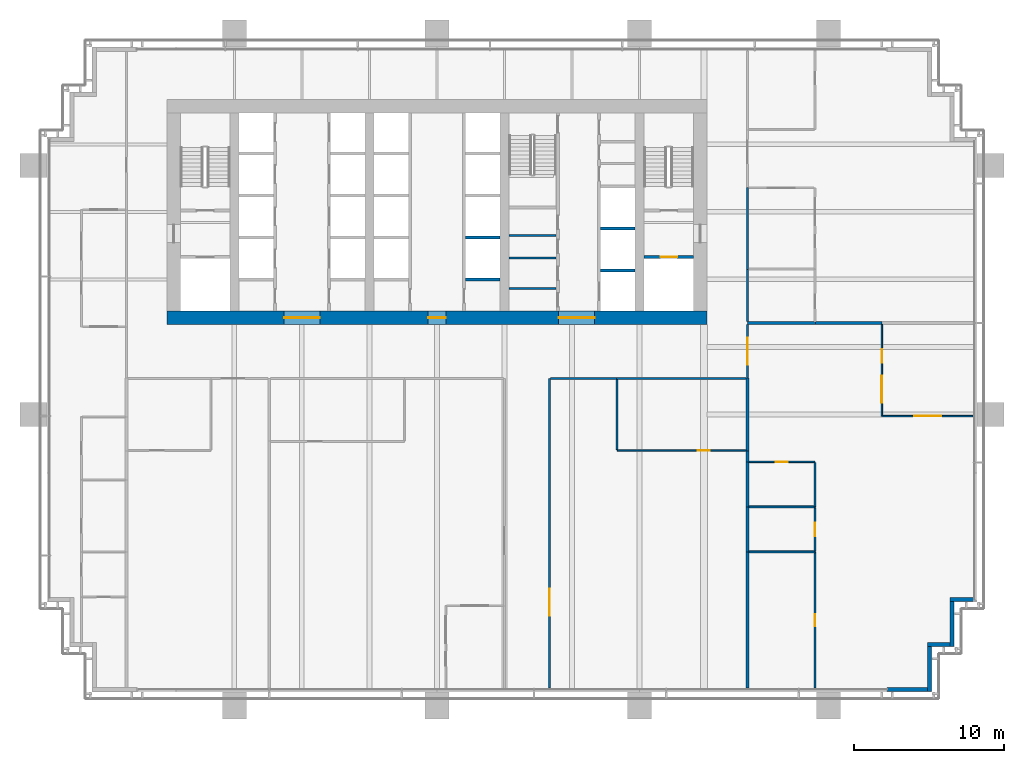
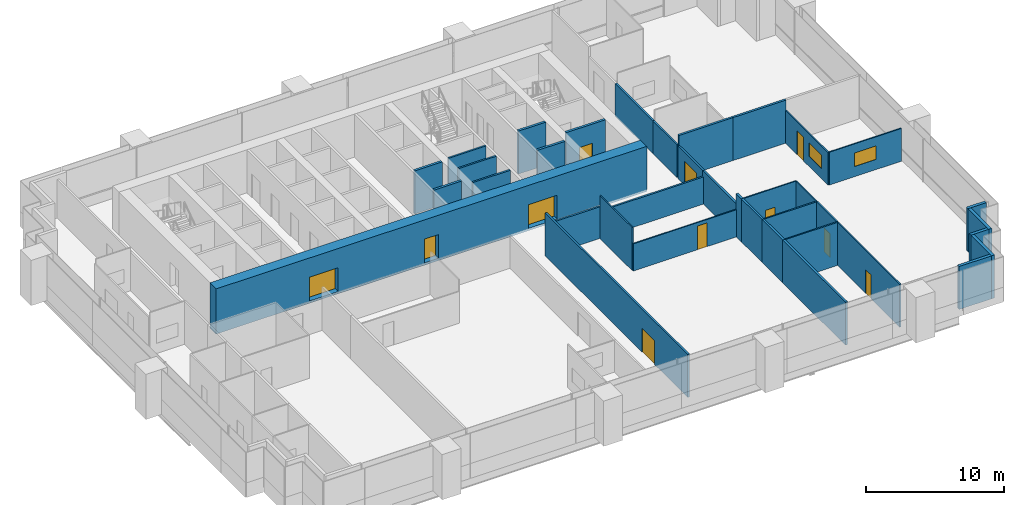
# One storey, part 13 of 19: 37 walls, 11 doors, 2 windows, 13 openings.
"""IFC4 building model written with IfcOpenShell, lengths in metres."""

from ifc_helpers import new_model, si_unit, direction, frame, frame_2d, origin, place, context, subcontext, project, spatial, rectangle, extrude, material, layer, layer_set, type_object, element, fill, save


model = new_model("IFC4")

# Units and contexts
model_context = context("Model", 3, precision=1e-05, world=origin(), true_north=direction((0.0, 1.0)))
body_context = subcontext(model_context, "Body", "Model", "MODEL_VIEW")
ifc_project = project(units=[si_unit("LENGTHUNIT", "METRE"), si_unit("AREAUNIT", "SQUARE_METRE"), si_unit("VOLUMEUNIT", "CUBIC_METRE"), si_unit("PLANEANGLEUNIT", "RADIAN"), si_unit("MASSUNIT", "GRAM", prefix="KILO")], contexts=[model_context])

# Site, building, storey
site_placement = place(None, origin())
site = spatial("IfcSite", under=ifc_project, at=site_placement, CompositionType="ELEMENT")
building_placement = place(site_placement, origin())
building = spatial("IfcBuilding", under=site, at=building_placement, Name="Rattan Terrace Tower", CompositionType="ELEMENT")
storey_placement = place(building_placement, frame((0.0, 0.0, 99.699951171875)))
storey = spatial("IfcBuildingStorey", under=building, at=storey_placement, Name="L22", CompositionType="ELEMENT", Elevation=99.699951171875)

# Walls
ifc_material_1 = material(Name="Gypsum board partition")
ifc_layer_1 = layer(ifc_material_1, 0.14990234375)
ifc_layer_set_1 = layer_set([ifc_layer_1], Name="Core partition 150")
wall_type_1 = type_object("IfcWallType", Name="Core partition 150", PredefinedType="PARTITIONING", material=ifc_layer_set_1)
for number, where, z_axis, x_axis, name in (
    (1, (4.800048828125, -5.10400390625, 0.0), (0.0, 0.0, 1.0), (1.0, 0.0, 0.0), "Toilet wall"),
    (2, (4.800048828125, -3.06396484375, 0.0), (0.0, 0.0, 1.0), (1.0, 0.0, 0.0), "Toilet wall"),
    (3, (4.800048828125, -1.568115234375, 0.0), (0.0, 0.0, 1.0), (1.0, 0.0, 0.0), "Toilet wall"),
):
    element("IfcWall", number, at=place(storey_placement, frame(where, z_axis=z_axis, x_axis=x_axis)), inside=storey, type_object=wall_type_1, Name=name, PredefinedType="PARTITIONING", context=body_context, shape_type="SweptSolid", body=[
        extrude(rectangle(XDim=3.14990234375, YDim=0.14990234375, at=frame_2d((1.574951171875, 0.0))), origin(), (0.0, 0.0, 1.0), 3.800048828125),
    ])

# Wall, opening, door
ifc_material_2 = material(Name="Gypsum board partition")
ifc_layer_2 = layer(ifc_material_2, 0.199951171875)
ifc_layer_set_2 = layer_set([ifc_layer_2], Name="Core partition 200")
wall_type_2 = type_object("IfcWallType", Name="Core partition 200", PredefinedType="PARTITIONING", material=ifc_layer_set_2)
wall_1_placement = place(storey_placement, frame((13.800048828125, -3.0, 0.0), z_axis=(0.0, 0.0, 1.0), x_axis=(1.0, 0.0, 0.0)))
wall_1 = element("IfcWall", 4, at=wall_1_placement, inside=storey, type_object=wall_type_2, Name="Fire-fighting lobby wall", PredefinedType="PARTITIONING", context=body_context, shape_type="SweptSolid", body=[
    extrude(rectangle(XDim=3.300048828125, YDim=0.199951171875, at=frame_2d((1.64990234375, 0.0))), origin(), (0.0, 0.0, 1.0), 3.800048828125),
])
opening_1_placement = place(wall_1_placement, frame((1.10009765625, 0.0, 0.0)))
opening_1 = element("IfcOpeningElement", 5, at=opening_1_placement, cuts=wall_1, Name="Opening L22-LD-FF2", PredefinedType="OPENING", context=body_context, shape_type="SweptSolid", body=[
    extrude(rectangle(XDim=1.10009765625, YDim=2.10009765625, at=frame_2d((0.550048828125, 1.050048828125))), frame((0.0, 0.110595703125, 0.0), z_axis=(0.0, -1.0, 0.0), x_axis=(1.0, 0.0, 0.0)), (0.0, 0.0, 1.0), 0.220947265625),
])
ifc_material_3 = material(Name="Brushed stainless landing door panel")
door_type_1 = type_object("IfcDoorType", Name="Core lift landing door 1100", OperationType="DOUBLE_DOOR_SLIDING", PredefinedType="DOOR", material=ifc_material_3)
door_1_placement = place(opening_1_placement, origin())
door_1 = element("IfcDoor", 6, at=door_1_placement, inside=storey, type_object=door_type_1, Name="Door L22-LD-FF2", OperationType="DOUBLE_DOOR_SLIDING", OverallHeight=2.10009765625, OverallWidth=1.10009765625, PredefinedType="DOOR", context=body_context, shape_type="SweptSolid", body=[
    extrude(rectangle(XDim=1.10009765625, YDim=2.10009765625, at=frame_2d((0.550048828125, 1.050048828125))), frame((0.0, 0.02490234375, 0.0), z_axis=(0.0, -1.0, 0.0), x_axis=(1.0, 0.0, 0.0)), (0.0, 0.0, 1.0), 0.050048828125),
])
fill(opening_1, door_1)

# Wall, openings, doors
ifc_material_4 = material(Name="Concrete C70/85", Category="concrete")
ifc_layer_3 = layer(ifc_material_4, 0.89990234375)
ifc_layer_set_3 = layer_set([ifc_layer_3], Name="Core ring wall 900 C70/85")
wall_type_3 = type_object("IfcWallType", Name="Core ring wall 900 C70/85", PredefinedType="SHEAR", material=ifc_layer_set_3)
wall_2_placement = place(storey_placement, frame((-18.0, -7.050048828125, -0.199951171875), z_axis=(0.0, 0.0, 1.0), x_axis=(1.0, 0.0, 0.0)))
wall_2 = element("IfcWall", 7, at=wall_2_placement, inside=storey, type_object=wall_type_3, Name="Rear core wall south", PredefinedType="SHEAR", context=body_context, shape_type="SweptSolid", body=[
    extrude(rectangle(XDim=36.0, YDim=0.89990234375, at=frame_2d((18.0, 0.0))), origin(), (0.0, 0.0, 1.0), 4.0),
])
opening_2_placement = place(wall_2_placement, frame((7.800048828125, 0.0, 0.199951171875)))
opening_2 = element("IfcOpeningElement", 8, at=opening_2_placement, cuts=wall_2, Name="Opening L22-D007", PredefinedType="OPENING", context=body_context, shape_type="SweptSolid", body=[
    extrude(rectangle(XDim=2.39990234375, YDim=2.10009765625, at=frame_2d((1.199951171875, 1.050048828125))), frame((0.0, 0.46044921875, 0.0), z_axis=(0.0, -1.0, 0.0), x_axis=(1.0, 0.0, 0.0)), (0.0, 0.0, 1.0), 0.9208984375),
])
opening_3_placement = place(wall_2_placement, frame((17.39990234375, 0.0, 0.199951171875)))
opening_3 = element("IfcOpeningElement", 9, at=opening_3_placement, cuts=wall_2, Name="Opening L22-D010", PredefinedType="OPENING", context=body_context, shape_type="SweptSolid", body=[
    extrude(rectangle(XDim=1.199951171875, YDim=2.10009765625, at=frame_2d((0.60009765625, 1.050048828125))), frame((0.0, 0.46044921875, 0.0), z_axis=(0.0, -1.0, 0.0), x_axis=(1.0, 0.0, 0.0)), (0.0, 0.0, 1.0), 0.9208984375),
])
opening_4_placement = place(wall_2_placement, frame((26.10009765625, 0.0, 0.199951171875)))
opening_4 = element("IfcOpeningElement", 10, at=opening_4_placement, cuts=wall_2, Name="Opening L22-D016", PredefinedType="OPENING", context=body_context, shape_type="SweptSolid", body=[
    extrude(rectangle(XDim=2.39990234375, YDim=2.10009765625, at=frame_2d((1.199951171875, 1.050048828125))), frame((0.0, 0.46044921875, 0.0), z_axis=(0.0, -1.0, 0.0), x_axis=(1.0, 0.0, 0.0)), (0.0, 0.0, 1.0), 0.9208984375),
])
ifc_material_5 = material(Name="Hollow-metal fire door leaf")
door_type_2 = type_object("IfcDoorType", Name="Core lift lobby door 2400", OperationType="NOTDEFINED", PredefinedType="DOOR", material=ifc_material_5)
door_2_placement = place(opening_2_placement, origin())
door_2 = element("IfcDoor", 11, at=door_2_placement, inside=storey, type_object=door_type_2, Name="Door L22-D007", OperationType="DOUBLE_DOOR_DOUBLE_SWING", OverallHeight=2.10009765625, OverallWidth=2.39990234375, PredefinedType="DOOR", context=body_context, shape_type="SweptSolid", body=[
    extrude(rectangle(XDim=2.39990234375, YDim=2.10009765625, at=frame_2d((1.199951171875, 1.050048828125))), frame((0.0, 0.02490234375, 0.0), z_axis=(0.0, -1.0, 0.0), x_axis=(1.0, 0.0, 0.0)), (0.0, 0.0, 1.0), 0.050048828125),
])
fill(opening_2, door_2)
door_3_placement = place(opening_4_placement, origin())
door_3 = element("IfcDoor", 12, at=door_3_placement, inside=storey, type_object=door_type_2, Name="Door L22-D016", OperationType="DOUBLE_DOOR_DOUBLE_SWING", OverallHeight=2.10009765625, OverallWidth=2.39990234375, PredefinedType="DOOR", context=body_context, shape_type="SweptSolid", body=[
    extrude(rectangle(XDim=2.39990234375, YDim=2.10009765625, at=frame_2d((1.199951171875, 1.050048828125))), frame((0.0, 0.02490234375, 0.0), z_axis=(0.0, -1.0, 0.0), x_axis=(1.0, 0.0, 0.0)), (0.0, 0.0, 1.0), 0.050048828125),
])
fill(opening_4, door_3)
ifc_material_6 = material(Name="Hollow-metal fire door leaf")
door_type_3 = type_object("IfcDoorType", Name="Core riser door 1200", OperationType="NOTDEFINED", PredefinedType="DOOR", material=ifc_material_6)
door_4_placement = place(opening_3_placement, origin())
door_4 = element("IfcDoor", 13, at=door_4_placement, inside=storey, type_object=door_type_3, Name="Door L22-D010", OperationType="SINGLE_SWING_RIGHT", OverallHeight=2.10009765625, OverallWidth=1.199951171875, PredefinedType="DOOR", context=body_context, shape_type="SweptSolid", body=[
    extrude(rectangle(XDim=1.199951171875, YDim=2.10009765625, at=frame_2d((0.60009765625, 1.050048828125))), frame((0.0, 0.02490234375, 0.0), z_axis=(0.0, -1.0, 0.0), x_axis=(1.0, 0.0, 0.0)), (0.0, 0.0, 1.0), 0.050048828125),
])
fill(opening_3, door_4)

# Walls
ifc_material_7 = material(Name="Insulated aluminium-clad stud wall", Category="aluminium")
ifc_layer_4 = layer(ifc_material_7, 0.25)
ifc_layer_set_4 = layer_set([ifc_layer_4], Name="Facade Riser Wall 250")
wall_type_4 = type_object("IfcWallType", Name="Facade Riser Wall 250", PredefinedType="SOLIDWALL", material=ifc_layer_set_4)
wall_3_placement = place(storey_placement, frame((30.0, -31.830078125, 0.0), z_axis=(0.0, 0.0, 1.0), x_axis=(1.0, 0.0, 0.0)))
element("IfcWall", 14, at=wall_3_placement, inside=storey, type_object=wall_type_4, Name="Riser wall L22-1", PredefinedType="SOLIDWALL", context=body_context, shape_type="SweptSolid", body=[
    extrude(rectangle(XDim=2.705078125, YDim=0.25, at=frame_2d((1.3525390625, 0.0))), origin(), (0.0, 0.0, 1.0), 3.800048828125),
])
wall_4_placement = place(storey_placement, frame((32.830078125, -31.955078125, 0.0), z_axis=(0.0, 0.0, 1.0), x_axis=(0.0, 1.0, 0.0)))
element("IfcWall", 15, at=wall_4_placement, inside=storey, type_object=wall_type_4, Name="Riser wall L22-2", PredefinedType="SOLIDWALL", context=body_context, shape_type="SweptSolid", body=[
    extrude(rectangle(XDim=3.0, YDim=0.25, at=frame_2d((1.5, 0.0))), origin(), (0.0, 0.0, 1.0), 3.800048828125),
])
wall_5_placement = place(storey_placement, frame((32.705078125, -28.830078125, 0.0), z_axis=(0.0, 0.0, 1.0), x_axis=(1.0, 0.0, 0.0)))
element("IfcWall", 16, at=wall_5_placement, inside=storey, type_object=wall_type_4, Name="Riser wall L22-3", PredefinedType="SOLIDWALL", context=body_context, shape_type="SweptSolid", body=[
    extrude(rectangle(XDim=1.5, YDim=0.25, at=frame_2d((0.75, 0.0))), origin(), (0.0, 0.0, 1.0), 3.800048828125),
])
wall_6_placement = place(storey_placement, frame((34.330078125, -28.955078125, 0.0), z_axis=(0.0, 0.0, 1.0), x_axis=(0.0, 1.0, 0.0)))
element("IfcWall", 17, at=wall_6_placement, inside=storey, type_object=wall_type_4, Name="Riser wall L22-4", PredefinedType="SOLIDWALL", context=body_context, shape_type="SweptSolid", body=[
    extrude(rectangle(XDim=3.0, YDim=0.25, at=frame_2d((1.5, 0.0))), origin(), (0.0, 0.0, 1.0), 3.800048828125),
])
wall_7_placement = place(storey_placement, frame((34.205078125, -25.830078125, 0.0), z_axis=(0.0, 0.0, 1.0), x_axis=(1.0, 0.0, 0.0)))
element("IfcWall", 18, at=wall_7_placement, inside=storey, type_object=wall_type_4, Name="Riser wall L22-5", PredefinedType="SOLIDWALL", context=body_context, shape_type="SweptSolid", body=[
    extrude(rectangle(XDim=1.544921875, YDim=0.25, at=frame_2d((0.7724609375, 0.0))), origin(), (0.0, 0.0, 1.0), 3.800048828125),
])
ifc_material_8 = material(Name="Double steel stud acoustic partition, gypsum board, mineral wool, fire rated", Category="steel")
ifc_layer_5 = layer(ifc_material_8, 0.179931640625)
ifc_layer_set_5 = layer_set([ifc_layer_5], Name="Floors Acoustic Party Wall 180")
wall_type_5 = type_object("IfcWallType", Name="Floors Acoustic Party Wall 180", PredefinedType="PARTITIONING", material=ifc_layer_set_5)
wall_8_placement = place(storey_placement, frame((25.219970703125, -7.39990234375, 0.0), z_axis=(0.0, 0.0, 1.0), x_axis=(1.0, 0.0, 0.0)))
element("IfcWall", 19, at=wall_8_placement, inside=storey, type_object=wall_type_5, Name="pt-L22-041", PredefinedType="PARTITIONING", context=body_context, shape_type="SweptSolid", body=[
    extrude(rectangle(XDim=4.43994140625, YDim=0.179931640625, at=frame_2d((2.219970703125, 0.0))), origin(), (0.0, 0.0, 1.0), 3.800048828125),
])
wall_9_placement = place(storey_placement, frame((20.699951171875, -7.39990234375, 0.0), z_axis=(0.0, 0.0, 1.0), x_axis=(1.0, 0.0, 0.0)))
element("IfcWall", 20, at=wall_9_placement, inside=storey, type_object=wall_type_5, Name="pt-L22-042", PredefinedType="PARTITIONING", context=body_context, shape_type="SweptSolid", body=[
    extrude(rectangle(XDim=4.52001953125, YDim=0.179931640625, at=frame_2d((2.260009765625, 0.0))), origin(), (0.0, 0.0, 1.0), 3.800048828125),
])
wall_10_placement = place(storey_placement, frame((20.699951171875, -16.659912109375, 0.0), z_axis=(0.0, 0.0, 1.0), x_axis=(0.0, 1.0, 0.0)))
element("IfcWall", 21, at=wall_10_placement, inside=storey, type_object=wall_type_5, Name="pt-L22-043", PredefinedType="PARTITIONING", context=body_context, shape_type="SweptSolid", body=[
    extrude(rectangle(XDim=0.739990234375, YDim=0.179931640625, at=frame_2d((0.3701171875, 0.0))), origin(), (0.0, 0.0, 1.0), 3.800048828125),
])
wall_11_placement = place(storey_placement, frame((20.699951171875, -15.919921875, 0.0), z_axis=(0.0, 0.0, 1.0), x_axis=(0.0, 1.0, 0.0)))
element("IfcWall", 22, at=wall_11_placement, inside=storey, type_object=wall_type_5, Name="pt-L22-044", PredefinedType="PARTITIONING", context=body_context, shape_type="SweptSolid", body=[
    extrude(rectangle(XDim=4.83984375, YDim=0.179931640625, at=frame_2d((2.419921875, 0.0))), origin(), (0.0, 0.0, 1.0), 2.900146484375),
])
wall_12_placement = place(storey_placement, frame((20.699951171875, -31.739990234375, 0.0), z_axis=(0.0, 0.0, 1.0), x_axis=(0.0, 1.0, 0.0)))
element("IfcWall", 23, at=wall_12_placement, inside=storey, type_object=wall_type_5, Name="pt-L22-047", PredefinedType="PARTITIONING", context=body_context, shape_type="SweptSolid", body=[
    extrude(rectangle(XDim=9.080078125, YDim=0.179931640625, at=frame_2d((4.5400390625, 0.0))), origin(), (0.0, 0.0, 1.0), 3.800048828125),
])
for number, where, z_axis, x_axis, name in (
    (24, (20.699951171875, -22.659912109375, 0.0), (0.0, 0.0, 1.0), (0.0, 1.0, 0.0), "pt-L22-049"),
    (25, (20.699951171875, -19.659912109375, 0.0), (0.0, 0.0, 1.0), (0.0, 1.0, 0.0), "pt-L22-050"),
):
    element("IfcWall", number, at=place(storey_placement, frame(where, z_axis=z_axis, x_axis=x_axis)), inside=storey, type_object=wall_type_5, Name=name, PredefinedType="PARTITIONING", context=body_context, shape_type="SweptSolid", body=[
        extrude(rectangle(XDim=3.0, YDim=0.179931640625, at=frame_2d((1.5, 0.0))), origin(), (0.0, 0.0, 1.0), 3.800048828125),
    ])

# Wall, openings, door, window
ifc_material_9 = material(Name="Gypsum board partition on steel studs", Category="steel")
ifc_layer_6 = layer(ifc_material_9, 0.10009765625)
ifc_layer_set_6 = layer_set([ifc_layer_6], Name="Floors Partition 100")
wall_type_6 = type_object("IfcWallType", Name="Floors Partition 100", PredefinedType="PARTITIONING", material=ifc_layer_set_6)
wall_13_placement = place(storey_placement, frame((29.659912109375, -7.489990234375, 0.0), z_axis=(0.0, 0.0, 1.0), x_axis=(0.0, -1.0, 0.0)))
wall_13 = element("IfcWall", 26, at=wall_13_placement, inside=storey, type_object=wall_type_6, Name="pt-L22-035", PredefinedType="PARTITIONING", context=body_context, shape_type="SweptSolid", body=[
    extrude(rectangle(XDim=6.110107421875, YDim=0.10009765625, at=frame_2d((3.05517578125, 0.0))), origin(), (0.0, 0.0, 1.0), 2.900146484375),
])
opening_5_placement = place(wall_13_placement, frame((1.6630859375, 0.0, 0.0)))
opening_5 = element("IfcOpeningElement", 27, at=opening_5_placement, cuts=wall_13, Name="Opening L22-D107", PredefinedType="OPENING", context=body_context, shape_type="SweptSolid", body=[
    extrude(rectangle(XDim=0.89990234375, YDim=2.10009765625, at=frame_2d((0.449951171875, 1.050048828125))), frame((0.0, 0.060546875, 0.0), z_axis=(0.0, -1.0, 0.0), x_axis=(1.0, 0.0, 0.0)), (0.0, 0.0, 1.0), 0.12109375),
])
opening_6_placement = place(wall_13_placement, frame((3.412109375, 0.0, 0.89990234375)))
opening_6 = element("IfcOpeningElement", 28, at=opening_6_placement, cuts=wall_13, Name="Opening L22-W103", PredefinedType="OPENING", context=body_context, shape_type="SweptSolid", body=[
    extrude(rectangle(XDim=1.800048828125, YDim=1.199951171875, at=frame_2d((0.89990234375, 0.60009765625))), frame((0.0, 0.060546875, 0.0), z_axis=(0.0, -1.0, 0.0), x_axis=(1.0, 0.0, 0.0)), (0.0, 0.0, 1.0), 0.12109375),
])
ifc_material_10 = material(Name="Solid core timber door, painted", Category="wood")
door_type_4 = type_object("IfcDoorType", Name="Floors Door 900x2100", OperationType="NOTDEFINED", PredefinedType="DOOR", material=ifc_material_10)
door_5_placement = place(opening_5_placement, origin())
door_5 = element("IfcDoor", 29, at=door_5_placement, inside=storey, type_object=door_type_4, Name="d-L22-107", OperationType="SINGLE_SWING_LEFT", OverallHeight=2.10009765625, OverallWidth=0.89990234375, PredefinedType="DOOR", context=body_context, shape_type="SweptSolid", body=[
    extrude(rectangle(XDim=0.89990234375, YDim=2.10009765625, at=frame_2d((0.449951171875, 1.050048828125))), frame((0.0, 0.02490234375, 0.0), z_axis=(0.0, -1.0, 0.0), x_axis=(1.0, 0.0, 0.0)), (0.0, 0.0, 1.0), 0.050048828125),
])
fill(opening_5, door_5)
ifc_material_11 = material(Name="Glass, clear, fixed in aluminium frame", Category="aluminium")
window_type = type_object("IfcWindowType", Name="Interior Vision Window 1800x1200", PartitioningType="SINGLE_PANEL", PredefinedType="WINDOW", material=ifc_material_11)
window_1_placement = place(opening_6_placement, origin())
window_1 = element("IfcWindow", 30, at=window_1_placement, inside=storey, type_object=window_type, Name="w-L22-103", OverallHeight=1.199951171875, OverallWidth=1.800048828125, PartitioningType="SINGLE_PANEL", PredefinedType="WINDOW", context=body_context, shape_type="SweptSolid", body=[
    extrude(rectangle(XDim=1.800048828125, YDim=1.199951171875, at=frame_2d((0.89990234375, 0.60009765625))), frame((0.0, 0.030029296875, 0.0), z_axis=(0.0, -1.0, 0.0), x_axis=(1.0, 0.0, 0.0)), (0.0, 0.0, 1.0), 0.06005859375),
])
fill(opening_6, window_1)

# Wall, opening, window
wall_14_placement = place(storey_placement, frame((29.7099609375, -13.60009765625, 0.0), z_axis=(0.0, 0.0, 1.0), x_axis=(1.0, 0.0, 0.0)))
wall_14 = element("IfcWall", 31, at=wall_14_placement, inside=storey, type_object=wall_type_6, Name="pt-L22-036", PredefinedType="PARTITIONING", context=body_context, shape_type="SweptSolid", body=[
    extrude(rectangle(XDim=6.030029296875, YDim=0.10009765625, at=frame_2d((3.01513671875, 0.0))), origin(), (0.0, 0.0, 1.0), 2.900146484375),
])
opening_7_placement = place(wall_14_placement, frame((2.114990234375, 0.0, 0.89990234375)))
opening_7 = element("IfcOpeningElement", 32, at=opening_7_placement, cuts=wall_14, Name="Opening L22-W104", PredefinedType="OPENING", context=body_context, shape_type="SweptSolid", body=[
    extrude(rectangle(XDim=1.800048828125, YDim=1.199951171875, at=frame_2d((0.89990234375, 0.60009765625))), frame((0.0, 0.060546875, 0.0), z_axis=(0.0, -1.0, 0.0), x_axis=(1.0, 0.0, 0.0)), (0.0, 0.0, 1.0), 0.12109375),
])
window_2_placement = place(opening_7_placement, origin())
window_2 = element("IfcWindow", 33, at=window_2_placement, inside=storey, type_object=window_type, Name="w-L22-104", OverallHeight=1.199951171875, OverallWidth=1.800048828125, PartitioningType="SINGLE_PANEL", PredefinedType="WINDOW", context=body_context, shape_type="SweptSolid", body=[
    extrude(rectangle(XDim=1.800048828125, YDim=1.199951171875, at=frame_2d((0.89990234375, 0.60009765625))), frame((0.0, 0.030029296875, 0.0), z_axis=(0.0, -1.0, 0.0), x_axis=(1.0, 0.0, 0.0)), (0.0, 0.0, 1.0), 0.06005859375),
])
fill(opening_7, window_2)

# Wall, opening, door
wall_15_placement = place(storey_placement, frame((25.199951171875, -31.739990234375, 0.0), z_axis=(0.0, 0.0, 1.0), x_axis=(0.0, 1.0, 0.0)))
wall_15 = element("IfcWall", 34, at=wall_15_placement, inside=storey, type_object=wall_type_6, Name="pt-L22-037", PredefinedType="PARTITIONING", context=body_context, shape_type="SweptSolid", body=[
    extrude(rectangle(XDim=9.06005859375, YDim=0.10009765625, at=frame_2d((4.530029296875, 0.0))), origin(), (0.0, 0.0, 1.0), 3.800048828125),
])
opening_8_placement = place(wall_15_placement, frame((4.1298828125, 0.0, 0.0)))
opening_8 = element("IfcOpeningElement", 35, at=opening_8_placement, cuts=wall_15, Name="Opening L22-D108", PredefinedType="OPENING", context=body_context, shape_type="SweptSolid", body=[
    extrude(rectangle(XDim=0.800048828125, YDim=2.10009765625, at=frame_2d((0.39990234375, 1.050048828125))), frame((0.0, 0.060546875, 0.0), z_axis=(0.0, -1.0, 0.0), x_axis=(1.0, 0.0, 0.0)), (0.0, 0.0, 1.0), 0.12109375),
])
ifc_material_12 = material(Name="Solid core timber door, painted", Category="wood")
door_type_5 = type_object("IfcDoorType", Name="Floors Store Door 800x2100", OperationType="NOTDEFINED", PredefinedType="DOOR", material=ifc_material_12)
door_6_placement = place(opening_8_placement, origin())
door_6 = element("IfcDoor", 36, at=door_6_placement, inside=storey, type_object=door_type_5, Name="d-L22-108", OperationType="SINGLE_SWING_LEFT", OverallHeight=2.10009765625, OverallWidth=0.800048828125, PredefinedType="DOOR", context=body_context, shape_type="SweptSolid", body=[
    extrude(rectangle(XDim=0.800048828125, YDim=2.10009765625, at=frame_2d((0.39990234375, 1.050048828125))), frame((0.0, 0.02490234375, 0.0), z_axis=(0.0, -1.0, 0.0), x_axis=(1.0, 0.0, 0.0)), (0.0, 0.0, 1.0), 0.050048828125),
])
fill(opening_8, door_6)

wall_16_placement = place(storey_placement, frame((25.199951171875, -16.659912109375, 0.0), z_axis=(0.0, 0.0, 1.0), x_axis=(-1.0, 0.0, 0.0)))
wall_16 = element("IfcWall", 37, at=wall_16_placement, inside=storey, type_object=wall_type_6, Name="pt-L22-039", PredefinedType="PARTITIONING", context=body_context, shape_type="SweptSolid", body=[
    extrude(rectangle(XDim=4.409912109375, YDim=0.10009765625, at=frame_2d((2.205078125, 0.0))), origin(), (0.0, 0.0, 1.0), 3.800048828125),
])
opening_9_placement = place(wall_16_placement, frame((1.804931640625, 0.0, 0.0)))
opening_9 = element("IfcOpeningElement", 38, at=opening_9_placement, cuts=wall_16, Name="Opening L22-D110", PredefinedType="OPENING", context=body_context, shape_type="SweptSolid", body=[
    extrude(rectangle(XDim=0.800048828125, YDim=2.10009765625, at=frame_2d((0.39990234375, 1.050048828125))), frame((0.0, 0.060546875, 0.0), z_axis=(0.0, -1.0, 0.0), x_axis=(1.0, 0.0, 0.0)), (0.0, 0.0, 1.0), 0.12109375),
])
door_7_placement = place(opening_9_placement, origin())
door_7 = element("IfcDoor", 39, at=door_7_placement, inside=storey, type_object=door_type_5, Name="d-L22-110", OperationType="SINGLE_SWING_LEFT", OverallHeight=2.10009765625, OverallWidth=0.800048828125, PredefinedType="DOOR", context=body_context, shape_type="SweptSolid", body=[
    extrude(rectangle(XDim=0.800048828125, YDim=2.10009765625, at=frame_2d((0.39990234375, 1.050048828125))), frame((0.0, 0.02490234375, 0.0), z_axis=(0.0, -1.0, 0.0), x_axis=(1.0, 0.0, 0.0)), (0.0, 0.0, 1.0), 0.050048828125),
])
fill(opening_9, door_7)

# Walls
wall_17_placement = place(storey_placement, frame((25.199951171875, -19.639892578125, 0.0), z_axis=(0.0, 0.0, 1.0), x_axis=(0.0, 1.0, 0.0)))
element("IfcWall", 40, at=wall_17_placement, inside=storey, type_object=wall_type_6, Name="pt-L22-040", PredefinedType="PARTITIONING", context=body_context, shape_type="SweptSolid", body=[
    extrude(rectangle(XDim=2.929931640625, YDim=0.10009765625, at=frame_2d((1.46484375, 0.0))), origin(), (0.0, 0.0, 1.0), 3.800048828125),
])
wall_18_placement = place(storey_placement, frame((12.0, -11.175048828125, 0.0), z_axis=(0.0, 0.0, 1.0), x_axis=(0.0, -1.0, 0.0)))
element("IfcWall", 41, at=wall_18_placement, inside=storey, type_object=wall_type_6, Name="pt-L22-065", PredefinedType="PARTITIONING", context=body_context, shape_type="SweptSolid", body=[
    extrude(rectangle(XDim=4.675048828125, YDim=0.10009765625, at=frame_2d((2.33740234375, 0.0))), origin(), (0.0, 0.0, 1.0), 3.800048828125),
])

# Wall, opening, door
wall_19_placement = place(storey_placement, frame((12.0, -15.89990234375, 0.0), z_axis=(0.0, 0.0, 1.0), x_axis=(1.0, 0.0, 0.0)))
wall_19 = element("IfcWall", 42, at=wall_19_placement, inside=storey, type_object=wall_type_6, Name="pt-L22-066", PredefinedType="PARTITIONING", context=body_context, shape_type="SweptSolid", body=[
    extrude(rectangle(XDim=8.610107421875, YDim=0.10009765625, at=frame_2d((4.30517578125, 0.0))), origin(), (0.0, 0.0, 1.0), 2.400146484375),
])
opening_10_placement = place(wall_19_placement, frame((5.366943359375, 0.0, 0.0)))
opening_10 = element("IfcOpeningElement", 43, at=opening_10_placement, cuts=wall_19, Name="Opening L22-D121", PredefinedType="OPENING", context=body_context, shape_type="SweptSolid", body=[
    extrude(rectangle(XDim=0.800048828125, YDim=2.10009765625, at=frame_2d((0.39990234375, 1.050048828125))), frame((0.0, 0.060546875, 0.0), z_axis=(0.0, -1.0, 0.0), x_axis=(1.0, 0.0, 0.0)), (0.0, 0.0, 1.0), 0.12109375),
])
door_8_placement = place(opening_10_placement, origin())
door_8 = element("IfcDoor", 44, at=door_8_placement, inside=storey, type_object=door_type_5, Name="d-L22-121", OperationType="SINGLE_SWING_RIGHT", OverallHeight=2.10009765625, OverallWidth=0.800048828125, PredefinedType="DOOR", context=body_context, shape_type="SweptSolid", body=[
    extrude(rectangle(XDim=0.800048828125, YDim=2.10009765625, at=frame_2d((0.39990234375, 1.050048828125))), frame((0.0, 0.02490234375, 0.0), z_axis=(0.0, -1.0, 0.0), x_axis=(1.0, 0.0, 0.0)), (0.0, 0.0, 1.0), 0.050048828125),
])
fill(opening_10, door_8)

ifc_material_13 = material(Name="Gypsum board partition on steel studs, fire rated", Category="steel")
ifc_layer_7 = layer(ifc_material_13, 0.14990234375)
ifc_layer_set_7 = layer_set([ifc_layer_7], Name="Floors Tenancy Wall 150")
wall_type_7 = type_object("IfcWallType", Name="Floors Tenancy Wall 150", PredefinedType="PARTITIONING", material=ifc_layer_set_7)
wall_20_placement = place(storey_placement, frame((20.699951171875, -7.489990234375, 0.0), z_axis=(0.0, 0.0, 1.0), x_axis=(0.0, -1.0, 0.0)))
wall_20 = element("IfcWall", 45, at=wall_20_placement, inside=storey, type_object=wall_type_7, Name="pt-L22-004", PredefinedType="PARTITIONING", context=body_context, shape_type="SweptSolid", body=[
    extrude(rectangle(XDim=3.590087890625, YDim=0.14990234375, at=frame_2d((1.794921875, 0.0))), origin(), (0.0, 0.0, 1.0), 2.900146484375),
])
opening_11_placement = place(wall_20_placement, frame((0.89501953125, 0.0, 0.0)))
opening_11 = element("IfcOpeningElement", 46, at=opening_11_placement, cuts=wall_20, Name="Opening L22-D106", PredefinedType="OPENING", context=body_context, shape_type="SweptSolid", body=[
    extrude(rectangle(XDim=1.800048828125, YDim=2.10009765625, at=frame_2d((0.89990234375, 1.050048828125))), frame((0.0, 0.08544921875, 0.0), z_axis=(0.0, -1.0, 0.0), x_axis=(1.0, 0.0, 0.0)), (0.0, 0.0, 1.0), 0.1708984375),
])
ifc_material_14 = material(Name="Steel fire door set", Category="steel")
door_type_6 = type_object("IfcDoorType", Name="Floors Fire Door Pair FD30S 1800x2100", OperationType="NOTDEFINED", PredefinedType="DOOR", material=ifc_material_14)
door_9_placement = place(opening_11_placement, origin())
door_9 = element("IfcDoor", 47, at=door_9_placement, inside=storey, type_object=door_type_6, Name="d-L22-106", OperationType="DOUBLE_DOOR_SINGLE_SWING", OverallHeight=2.10009765625, OverallWidth=1.800048828125, PredefinedType="DOOR", context=body_context, shape_type="SweptSolid", body=[
    extrude(rectangle(XDim=1.800048828125, YDim=2.10009765625, at=frame_2d((0.89990234375, 1.050048828125))), frame((0.0, 0.02490234375, 0.0), z_axis=(0.0, -1.0, 0.0), x_axis=(1.0, 0.0, 0.0)), (0.0, 0.0, 1.0), 0.050048828125),
])
fill(opening_11, door_9)

# Walls
wall_21_placement = place(storey_placement, frame((20.699951171875, -3.820068359375, 0.0), z_axis=(0.0, 0.0, 1.0), x_axis=(0.0, -1.0, 0.0)))
element("IfcWall", 48, at=wall_21_placement, inside=storey, type_object=wall_type_7, Name="pt-L22-006", PredefinedType="PARTITIONING", context=body_context, shape_type="SweptSolid", body=[
    extrude(rectangle(XDim=3.489990234375, YDim=0.14990234375, at=frame_2d((1.7451171875, 0.0))), origin(), (0.0, 0.0, 1.0), 2.900146484375),
])
wall_22_placement = place(storey_placement, frame((20.699951171875, 1.6201171875, 0.0), z_axis=(0.0, 0.0, 1.0), x_axis=(0.0, -1.0, 0.0)))
element("IfcWall", 49, at=wall_22_placement, inside=storey, type_object=wall_type_7, Name="pt-L22-007", PredefinedType="PARTITIONING", context=body_context, shape_type="SweptSolid", body=[
    extrude(rectangle(XDim=5.440185546875, YDim=0.14990234375, at=frame_2d((2.72021484375, 0.0))), origin(), (0.0, 0.0, 1.0), 2.900146484375),
])

# Wall, opening, door
wall_23_placement = place(storey_placement, frame((7.5, -11.10009765625, 0.0), z_axis=(0.0, 0.0, 1.0), x_axis=(0.0, -1.0, 0.0)))
wall_23 = element("IfcWall", 50, at=wall_23_placement, inside=storey, type_object=wall_type_7, Name="pt-L22-015", PredefinedType="PARTITIONING", context=body_context, shape_type="SweptSolid", body=[
    extrude(rectangle(XDim=20.639892578125, YDim=0.14990234375, at=frame_2d((10.31982421875, 0.0))), origin(), (0.0, 0.0, 1.0), 3.800048828125),
])
opening_12_placement = place(wall_23_placement, frame((14.0048828125, 0.0, 0.0)))
opening_12 = element("IfcOpeningElement", 51, at=opening_12_placement, cuts=wall_23, Name="Opening L22-D120", PredefinedType="OPENING", context=body_context, shape_type="SweptSolid", body=[
    extrude(rectangle(XDim=1.800048828125, YDim=2.10009765625, at=frame_2d((0.89990234375, 1.050048828125))), frame((0.0, 0.08544921875, 0.0), z_axis=(0.0, -1.0, 0.0), x_axis=(1.0, 0.0, 0.0)), (0.0, 0.0, 1.0), 0.1708984375),
])
door_10_placement = place(opening_12_placement, origin())
door_10 = element("IfcDoor", 52, at=door_10_placement, inside=storey, type_object=door_type_6, Name="d-L22-120", OperationType="DOUBLE_DOOR_SINGLE_SWING", OverallHeight=2.10009765625, OverallWidth=1.800048828125, PredefinedType="DOOR", context=body_context, shape_type="SweptSolid", body=[
    extrude(rectangle(XDim=1.800048828125, YDim=2.10009765625, at=frame_2d((0.89990234375, 1.050048828125))), frame((0.0, 0.02490234375, 0.0), z_axis=(0.0, -1.0, 0.0), x_axis=(1.0, 0.0, 0.0)), (0.0, 0.0, 1.0), 0.050048828125),
])
fill(opening_12, door_10)

# Walls
wall_24_placement = place(storey_placement, frame((11.97998046875, -11.10009765625, 0.0), z_axis=(0.0, 0.0, 1.0), x_axis=(-1.0, 0.0, 0.0)))
element("IfcWall", 53, at=wall_24_placement, inside=storey, type_object=wall_type_7, Name="pt-L22-016", PredefinedType="PARTITIONING", context=body_context, shape_type="SweptSolid", body=[
    extrude(rectangle(XDim=4.405029296875, YDim=0.14990234375, at=frame_2d((2.20263671875, 0.0))), origin(), (0.0, 0.0, 1.0), 2.800048828125),
])
wall_25_placement = place(storey_placement, frame((20.610107421875, -11.10009765625, 0.0), z_axis=(0.0, 0.0, 1.0), x_axis=(-1.0, 0.0, 0.0)))
element("IfcWall", 54, at=wall_25_placement, inside=storey, type_object=wall_type_7, Name="pt-L22-017", PredefinedType="PARTITIONING", context=body_context, shape_type="SweptSolid", body=[
    extrude(rectangle(XDim=8.630126953125, YDim=0.14990234375, at=frame_2d((4.31494140625, 0.0))), origin(), (0.0, 0.0, 1.0), 2.400146484375),
])

# Wall, opening, door
ifc_material_15 = material(Name="Moisture resistant gypsum board partition on steel studs with service cavity", Category="steel")
ifc_layer_8 = layer(ifc_material_15, 0.1201171875)
ifc_layer_set_8 = layer_set([ifc_layer_8], Name="Floors Wet Wall 120")
wall_type_8 = type_object("IfcWallType", Name="Floors Wet Wall 120", PredefinedType="PARTITIONING", material=ifc_layer_set_8)
wall_26_placement = place(storey_placement, frame((25.200927734375, -22.60009765625, 0.0), z_axis=(0.0, 0.0, 1.0), x_axis=(0.0, 1.0, 0.0)))
wall_26 = element("IfcWall", 55, at=wall_26_placement, inside=storey, type_object=wall_type_8, Name="pt-L22-038", PredefinedType="PARTITIONING", context=body_context, shape_type="SweptSolid", body=[
    extrude(rectangle(XDim=2.880126953125, YDim=0.1201171875, at=frame_2d((1.43994140625, 0.0))), origin(), (0.0, 0.0, 1.0), 3.800048828125),
])
opening_13_placement = place(wall_26_placement, frame((0.989990234375, 0.0, 0.0)))
opening_13 = element("IfcOpeningElement", 56, at=opening_13_placement, cuts=wall_26, Name="Opening L22-D109", PredefinedType="OPENING", context=body_context, shape_type="SweptSolid", body=[
    extrude(rectangle(XDim=0.89990234375, YDim=2.10009765625, at=frame_2d((0.449951171875, 1.050048828125))), frame((0.0, 0.070556640625, 0.0), z_axis=(0.0, -1.0, 0.0), x_axis=(1.0, 0.0, 0.0)), (0.0, 0.0, 1.0), 0.14111328125),
])
door_11_placement = place(opening_13_placement, origin())
door_11 = element("IfcDoor", 57, at=door_11_placement, inside=storey, type_object=door_type_4, Name="d-L22-109", OperationType="SINGLE_SWING_RIGHT", OverallHeight=2.10009765625, OverallWidth=0.89990234375, PredefinedType="DOOR", context=body_context, shape_type="SweptSolid", body=[
    extrude(rectangle(XDim=0.89990234375, YDim=2.10009765625, at=frame_2d((0.449951171875, 1.050048828125))), frame((0.0, 0.02490234375, 0.0), z_axis=(0.0, -1.0, 0.0), x_axis=(1.0, 0.0, 0.0)), (0.0, 0.0, 1.0), 0.050048828125),
])
fill(opening_13, door_11)

# Walls
for number, where, z_axis, x_axis, name in (
    (58, (20.7900390625, -22.659912109375, 0.0), (0.0, 0.0, 1.0), (1.0, 0.0, 0.0), "pt-L22-046"),
    (59, (20.7900390625, -19.659912109375, 0.0), (0.0, 0.0, 1.0), (1.0, 0.0, 0.0), "pt-L22-048"),
):
    element("IfcWall", number, at=place(storey_placement, frame(where, z_axis=z_axis, x_axis=x_axis)), inside=storey, type_object=wall_type_8, Name=name, PredefinedType="PARTITIONING", context=body_context, shape_type="SweptSolid", body=[
        extrude(rectangle(XDim=4.409912109375, YDim=0.1201171875, at=frame_2d((2.205078125, 0.0))), origin(), (0.0, 0.0, 1.0), 3.800048828125),
    ])
ifc_material_16 = material(Name="Gypsum shaft wall system")
ifc_layer_9 = layer(ifc_material_16, 0.199951171875)
ifc_layer_set_9 = layer_set([ifc_layer_9], Name="Lift shaft wall 200")
wall_type_9 = type_object("IfcWallType", Name="Lift shaft wall 200", PredefinedType="PARTITIONING", material=ifc_layer_set_9)
for number, where, z_axis, x_axis, name in (
    (60, (1.89990234375, -1.699951171875, 0.0), (0.0, 0.0, 1.0), (1.0, 0.0, 0.0), "Lift shaft wall"),
    (61, (1.89990234375, -4.5, 0.0), (0.0, 0.0, 1.0), (1.0, 0.0, 0.0), "Lift shaft wall"),
    (62, (10.89990234375, -3.89990234375, 0.0), (0.0, 0.0, 1.0), (1.0, 0.0, 0.0), "Lift shaft wall"),
    (63, (10.89990234375, -1.10009765625, 0.0), (0.0, 0.0, 1.0), (1.0, 0.0, 0.0), "Lift shaft wall"),
):
    element("IfcWall", number, at=place(storey_placement, frame(where, z_axis=z_axis, x_axis=x_axis)), inside=storey, type_object=wall_type_9, Name=name, PredefinedType="PARTITIONING", context=body_context, shape_type="SweptSolid", body=[
        extrude(rectangle(XDim=2.300048828125, YDim=0.199951171875, at=frame_2d((1.14990234375, 0.0))), origin(), (0.0, 0.0, 1.0), 3.800048828125),
    ])

save(model, "model.ifc")
